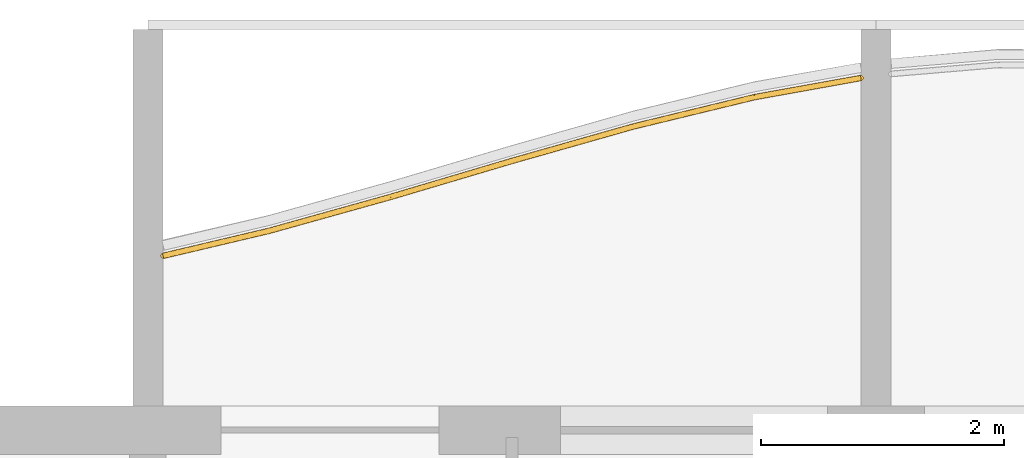
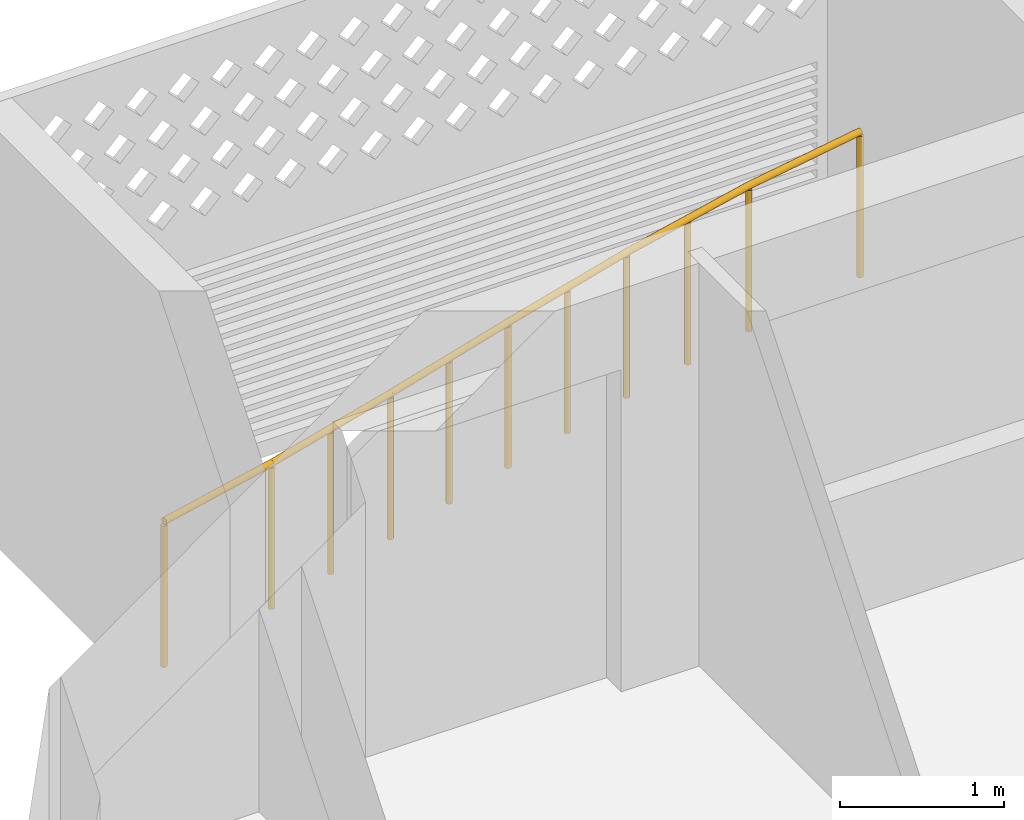
# One storey, part 17 of 32: 1 railing.
"""IFC4 building model written with IfcOpenShell, lengths in metres."""

import ifcopenshell
import ifcopenshell.guid

model = None  # the IFC model being written
_history = None  # IfcOwnerHistory: only IFC2X3 demands one
_inside = {}  # id of a spatial element -> (the spatial element, [elements in it])
_under = {}  # id of a project, library or spatial element -> (it, [spatial elements below it])
_declared = {}  # id of a project -> (the project, [libraries it declares])
_typed = {}  # id of a type object -> (the type object, [elements of that type])
_made_of = {}  # id of a material, layer set ... -> (it, [elements and type objects made of it])


def new_model(schema):
    """Start an empty IFC model of exactly this schema.

    Asked for "IFC4X3", IfcOpenShell would pick the latest addendum, in which some entities
    have other attributes; the version numbers below select the first issue.
    IFC2X3 requires an IfcOwnerHistory on every rooted entity: one is made here for all.
    """
    global model, _history
    if schema == "IFC4X3":
        model = ifcopenshell.file(schema_version=(4, 3, 0, 0))
    else:
        model = ifcopenshell.file(schema=schema)
    _inside.clear()
    _under.clear()
    _declared.clear()
    _typed.clear()
    _made_of.clear()
    _history = None
    if model.schema == "IFC2X3":
        org = make("IfcOrganization", Name="unknown")
        user = make(
            "IfcPersonAndOrganization",
            ThePerson=make("IfcPerson", FamilyName="unknown"),
            TheOrganization=org,
        )
        app = make(
            "IfcApplication",
            ApplicationDeveloper=org,
            Version="unknown",
            ApplicationFullName="unknown",
            ApplicationIdentifier="unknown",
        )
        _history = make(
            "IfcOwnerHistory",
            OwningUser=user,
            OwningApplication=app,
            ChangeAction="ADDED",
            CreationDate=0,
        )
    return model


def make(cls, **values):
    """One entity of the class cls with the attributes given. An attribute that is None is left unset."""
    return model.create_entity(
        cls, **{name: value for name, value in values.items() if value is not None}
    )


def rooted(cls, **values):
    """An entity with a GlobalId (a new one), such as an element, a storey or a relation."""
    return make(cls, GlobalId=ifcopenshell.guid.new(), OwnerHistory=_history, **values)


def si_unit(unit_type, name, prefix=None):
    """IfcSIUnit, for example si_unit("LENGTHUNIT", "METRE", prefix="MILLI")."""
    return make("IfcSIUnit", UnitType=unit_type, Prefix=prefix, Name=name)


def assignment(units):
    """IfcUnitAssignment: the units of a project."""
    return None if units is None else make("IfcUnitAssignment", Units=units)


def point(xyz):
    """IfcCartesianPoint."""
    return None if xyz is None else make("IfcCartesianPoint", Coordinates=xyz)


def direction(xyz):
    """IfcDirection."""
    return None if xyz is None else make("IfcDirection", DirectionRatios=xyz)


def frame(location, z_axis=None, x_axis=None):
    """IfcAxis2Placement3D, a coordinate frame: its origin and axes. An axis left out is left unset."""
    return make(
        "IfcAxis2Placement3D",
        Location=point(location),
        Axis=direction(z_axis),
        RefDirection=direction(x_axis),
    )


def frame_2d(location, x_axis=None):
    """IfcAxis2Placement2D, a coordinate frame in the plane: its origin and x axis."""
    return make(
        "IfcAxis2Placement2D", Location=point(location), RefDirection=direction(x_axis)
    )


def origin():
    """The frame at (0, 0, 0) with its axes left unset."""
    return frame((0.0, 0.0, 0.0))


def origin_2d():
    """The frame at (0, 0) in the plane with its x axis left unset."""
    return frame_2d((0.0, 0.0))


def place(relative_to, where):
    """IfcLocalPlacement: puts the frame where relative to a parent placement (None: the world)."""
    return make(
        "IfcLocalPlacement", PlacementRelTo=relative_to, RelativePlacement=where
    )


def context(
    kind, dimensions, precision=None, world=None, true_north=None, identifier=None
):
    """IfcGeometricRepresentationContext, for example the 3D "Model" context."""
    return make(
        "IfcGeometricRepresentationContext",
        ContextIdentifier=identifier,
        ContextType=kind,
        CoordinateSpaceDimension=dimensions,
        Precision=precision,
        WorldCoordinateSystem=world,
        TrueNorth=true_north,
    )


def subcontext(parent, identifier, kind, view, scale=None):
    """IfcGeometricRepresentationSubContext, for example "Body" below "Model"."""
    return make(
        "IfcGeometricRepresentationSubContext",
        ContextIdentifier=identifier,
        ContextType=kind,
        ParentContext=parent,
        TargetScale=scale,
        TargetView=view,
    )


def project(units=None, contexts=None):
    """IfcProject with its units and contexts."""
    return rooted(
        "IfcProject",
        Name="project",
        RepresentationContexts=contexts,
        UnitsInContext=assignment(units),
    )


def spatial(cls, under=None, at=None, **own):
    """A site, building, storey or space (cls), placed at a placement, below another one or the project."""
    s = rooted(cls, ObjectPlacement=at, **own)
    if under is not None:
        _under.setdefault(under.id(), (under, []))[1].append(s)
    return s


def profile(cls, at=None, kind="AREA", **sizes):
    """A parametric profile (cls). Its sizes go by their IFC names, for example OverallWidth=200.0."""
    return make(cls, ProfileType=kind, Position=at, **sizes)


def circle(**sizes):
    """IfcCircleProfileDef."""
    return profile("IfcCircleProfileDef", **sizes)


def extrude(swept, where, along, depth):
    """IfcExtrudedAreaSolid: the profile swept, set in the frame where, extruded along a direction by depth."""
    return make(
        "IfcExtrudedAreaSolid",
        SweptArea=swept,
        Position=where,
        ExtrudedDirection=direction(along),
        Depth=depth,
    )


def shape(context_of_items, identifier, shape_type, items):
    """IfcShapeRepresentation: the items that make up one representation, for example the "Body"."""
    return make(
        "IfcShapeRepresentation",
        ContextOfItems=context_of_items,
        RepresentationIdentifier=identifier,
        RepresentationType=shape_type,
        Items=items,
    )


def material(Name=None, Category=None):
    """IfcMaterial."""
    return make("IfcMaterial", Name=Name, Category=Category)


def made_of(thing, what):
    """Note that an element or type object is made of a material, layer set ...; save() writes the relation."""
    if what is not None:
        _made_of.setdefault(what.id(), (what, []))[1].append(thing)
    return thing


def type_object(cls, material=None, **own):
    """A type object (cls), such as IfcWallType, which elements share."""
    return made_of(rooted(cls, **own), material)


def element(
    cls,
    number,
    at=None,
    inside=None,
    cuts=None,
    type_object=None,
    material=None,
    context=None,
    identifier="Body",
    shape_type=None,
    held_by="IfcProductDefinitionShape",
    body=None,
    shapes=None,
    **own,
):
    """One element of the class cls, such as IfcWall. Its Tag is "e" and its number.

    at: its placement. inside: the storey or other place that contains it. cuts: it is an
    opening in that element (IfcRelVoidsElement). A single representation is given by context,
    identifier, shape_type and body (its items); several are given by shapes. held_by: the class
    of the entity that holds the representations. save() writes the other relations.
    """
    e = rooted(cls, Tag="e%d" % number, ObjectPlacement=at, **own)
    if body is not None:
        shapes = [shape(context, identifier, shape_type, body)]
    if shapes is not None:
        e.Representation = make(held_by, Representations=shapes)
    if inside is not None:
        _inside.setdefault(inside.id(), (inside, []))[1].append(e)
    if cuts is not None:
        rooted(
            "IfcRelVoidsElement", RelatingBuildingElement=cuts, RelatedOpeningElement=e
        )
    if type_object is not None:
        _typed.setdefault(type_object.id(), (type_object, []))[1].append(e)
    return made_of(e, material)


def aggregate(whole, parts):
    """IfcRelAggregates: a whole, such as a stair, and the parts it consists of."""
    return rooted("IfcRelAggregates", RelatingObject=whole, RelatedObjects=parts)


def save(model, path):
    """Write the relations noted so far, then the file.

    IfcRelAggregates (storeys below a building ...), IfcRelContainedInSpatialStructure (elements
    in a storey), IfcRelDefinesByType, IfcRelAssociatesMaterial and IfcRelDeclares: one each for
    every whole, place, type object, material and project.
    """
    for whole, parts in _under.values():
        aggregate(whole, parts)
    for where, things in _inside.values():
        rooted(
            "IfcRelContainedInSpatialStructure",
            RelatedElements=things,
            RelatingStructure=where,
        )
    for kind, things in _typed.values():
        rooted("IfcRelDefinesByType", RelatedObjects=things, RelatingType=kind)
    for what, things in _made_of.values():
        rooted("IfcRelAssociatesMaterial", RelatedObjects=things, RelatingMaterial=what)
    for by, libraries in _declared.values():
        rooted("IfcRelDeclares", RelatingContext=by, RelatedDefinitions=libraries)
    model.write(path)


model = new_model("IFC4")

# Units and contexts
model_context = context("Model", 3, precision=1e-05, world=origin(), true_north=direction((0.0, 1.0)))
body_context = subcontext(model_context, "Body", "Model", "MODEL_VIEW")
ifc_project = project(units=[si_unit("LENGTHUNIT", "METRE"), si_unit("AREAUNIT", "SQUARE_METRE"), si_unit("VOLUMEUNIT", "CUBIC_METRE"), si_unit("PLANEANGLEUNIT", "RADIAN"), si_unit("MASSUNIT", "GRAM", prefix="KILO")], contexts=[model_context])

# Site, building, storey
site_placement = place(None, origin())
site = spatial("IfcSite", under=ifc_project, at=site_placement, CompositionType="ELEMENT")
building_placement = place(site_placement, origin())
building = spatial("IfcBuilding", under=site, at=building_placement, Name="Poui Terraces", CompositionType="ELEMENT")
storey_placement = place(building_placement, frame((0.0, 0.0, 155.39990234375)))
storey = spatial("IfcBuildingStorey", under=building, at=storey_placement, Name="L43", CompositionType="ELEMENT", Elevation=155.39990234375)

# Railing
ifc_material = material(Name="Painted steel fretwork", Category="steel")
railing_type = type_object("IfcRailingType", Name="BALCONY GUARD 1100", PredefinedType="GUARDRAIL", material=ifc_material)
railing_placement = place(storey_placement, frame((18.125, 43.836669921875, 0.0)))
element("IfcRailing", 1, at=railing_placement, inside=storey, type_object=railing_type, Name="BALCONY GUARD", PredefinedType="GUARDRAIL", context=body_context, shape_type="SweptSolid", body=[
    extrude(circle(Radius=0.02392578125, at=origin_2d()), frame((0.0, 0.0, 1.076171875), z_axis=(0.973253095993, 0.229735524333, 0.0), x_axis=(-0.229735524333, 0.973253095993, 0.0)), (0.0, 0.0, 1.0), 0.89892578125),
    extrude(circle(Radius=0.02392578125, at=origin_2d()), frame((0.875, 0.20654296875, 1.076171875), z_axis=(0.963200548895, 0.268783746921, 0.0), x_axis=(-0.268783746921, 0.963200548895, 0.0)), (0.0, 0.0, 1.0), 1.0380859375),
    extrude(circle(Radius=0.02392578125, at=origin_2d()), frame((1.875, 0.485595703125, 1.076171875), z_axis=(0.958710700624, 0.284383179018, 0.0), x_axis=(-0.284383179018, 0.958710700624, 0.0)), (0.0, 0.0, 1.0), 1.04296875),
    extrude(circle(Radius=0.02392578125, at=origin_2d()), frame((2.875, 0.7822265625, 1.076171875), z_axis=(0.962036324093, 0.272921437645, 0.0), x_axis=(-0.272921437645, 0.962036324093, 0.0)), (0.0, 0.0, 1.0), 1.03955078125),
    extrude(circle(Radius=0.02392578125, at=origin_2d()), frame((3.875, 1.06591796875, 1.076171875), z_axis=(0.971902764759, 0.23538270084, 0.0), x_axis=(-0.23538270084, 0.971902764759, 0.0)), (0.0, 0.0, 1.0), 1.02880859375),
    extrude(circle(Radius=0.02392578125, at=origin_2d()), frame((4.875, 1.30810546875, 1.076171875), z_axis=(0.984189068803, 0.177121079626, 0.0), x_axis=(-0.177121079626, 0.984189068803, 0.0)), (0.0, 0.0, 1.0), 0.88916015625),
    extrude(circle(Radius=0.02099609375, at=origin_2d()), origin(), (0.0, 0.0, 1.0), 1.052001953125),
    extrude(circle(Radius=0.02099609375, at=origin_2d()), frame((0.875, 0.20654296875, 0.0)), (0.0, 0.0, 1.0), 1.052001953125),
    extrude(circle(Radius=0.02099609375, at=origin_2d()), frame((1.375, 0.34619140625, 0.0)), (0.0, 0.0, 1.0), 1.052001953125),
    extrude(circle(Radius=0.02099609375, at=origin_2d()), frame((1.875, 0.485595703125, 0.0)), (0.0, 0.0, 1.0), 1.052001953125),
    extrude(circle(Radius=0.02099609375, at=origin_2d()), frame((2.375, 0.6337890625, 0.0)), (0.0, 0.0, 1.0), 1.052001953125),
    extrude(circle(Radius=0.02099609375, at=origin_2d()), frame((2.875, 0.7822265625, 0.0)), (0.0, 0.0, 1.0), 1.052001953125),
    extrude(circle(Radius=0.02099609375, at=origin_2d()), frame((3.375, 0.924072265625, 0.0)), (0.0, 0.0, 1.0), 1.052001953125),
    extrude(circle(Radius=0.02099609375, at=origin_2d()), frame((3.875, 1.06591796875, 0.0)), (0.0, 0.0, 1.0), 1.052001953125),
    extrude(circle(Radius=0.02099609375, at=origin_2d()), frame((4.375, 1.18701171875, 0.0)), (0.0, 0.0, 1.0), 1.052001953125),
    extrude(circle(Radius=0.02099609375, at=origin_2d()), frame((4.875, 1.30810546875, 0.0)), (0.0, 0.0, 1.0), 1.052001953125),
    extrude(circle(Radius=0.02099609375, at=origin_2d()), frame((5.75, 1.465576171875, 0.0)), (0.0, 0.0, 1.0), 1.052001953125),
])

save(model, "model.ifc")
